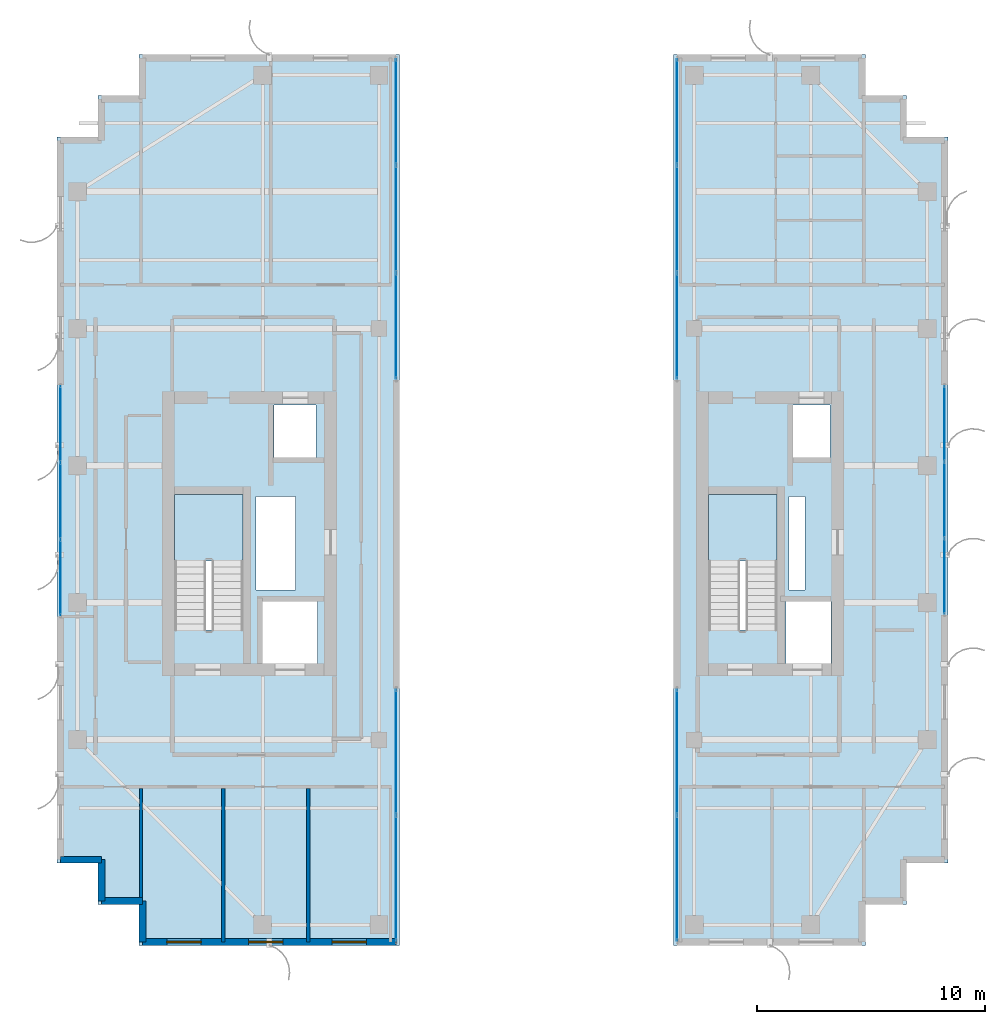
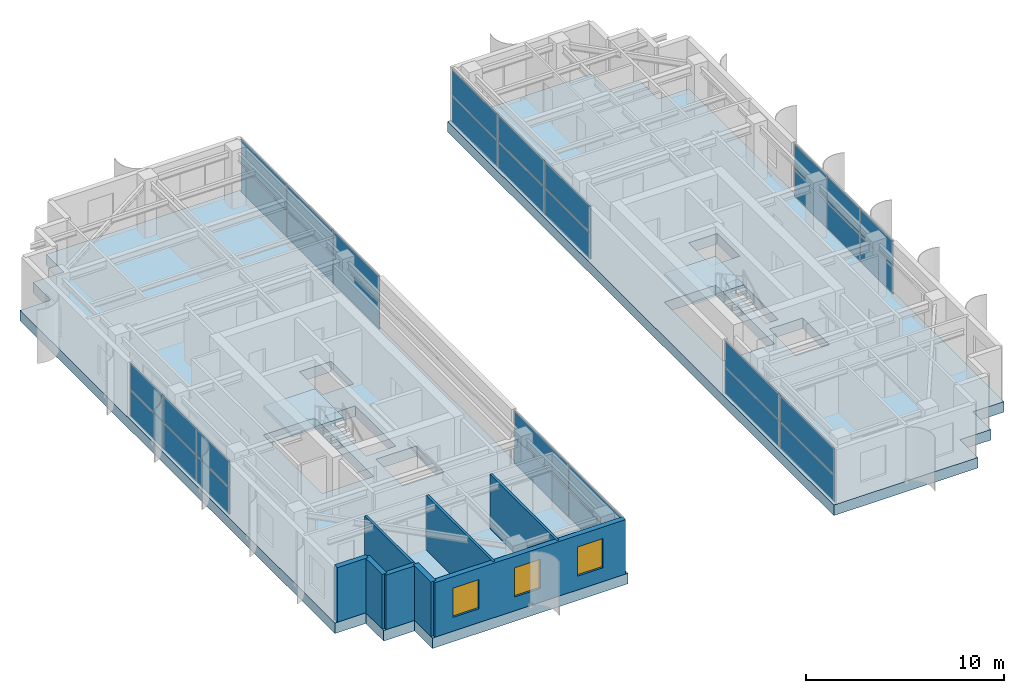
# One storey, part 17 of 24: 32 plates, 8 walls, 4 slabs, 3 windows, 3 openings, 8 elements without a shape of their own.
"""IFC4 building model written with IfcOpenShell, lengths in metres."""

from ifc_helpers import new_model, si_unit, direction, frame, frame_2d, origin, origin_2d, place, context, subcontext, project, spatial, polyline, rectangle, outline, extrude, source, transform, mapped, material, layer, layer_set, type_object, element, fill, aggregate, save


model = new_model("IFC4")

# Units and contexts
model_context = context("Model", 3, precision=1e-05, world=origin(), true_north=direction((0.0, 1.0)))
body_context = subcontext(model_context, "Body", "Model", "MODEL_VIEW")
ifc_project = project(units=[si_unit("LENGTHUNIT", "METRE"), si_unit("AREAUNIT", "SQUARE_METRE"), si_unit("VOLUMEUNIT", "CUBIC_METRE"), si_unit("PLANEANGLEUNIT", "RADIAN"), si_unit("MASSUNIT", "GRAM", prefix="KILO")], contexts=[model_context])

# Site, building, storey
site_placement = place(None, origin())
site = spatial("IfcSite", under=ifc_project, at=site_placement, CompositionType="ELEMENT")
building_placement = place(site_placement, origin())
building = spatial("IfcBuilding", under=site, at=building_placement, Name="Khoralis Quay Care Tower", CompositionType="ELEMENT")
storey_placement = place(building_placement, frame((0.0, 0.0, 227.699951171875)))
storey = spatial("IfcBuildingStorey", under=building, at=storey_placement, Name="L59", CompositionType="ELEMENT", Elevation=227.699951171875)

# Stair, slab
ifc_material_1 = material(Name="Precast concrete C45/55", Category="concrete")
stair_type = type_object("IfcStairType", Name="ST-TWR-DOGLEG-1400", PredefinedType="HALF_TURN_STAIR", material=ifc_material_1)
stair_1_placement = place(storey_placement, origin())
stair_1 = element("IfcStair", 1, at=stair_1_placement, inside=storey, type_object=stair_type, Name="L59 West Core Exit Stair ST-T1", PredefinedType="HALF_TURN_STAIR")
ifc_layer_1 = layer(ifc_material_1, 0.199951171875)
ifc_layer_set_1 = layer_set([ifc_layer_1], Name="Precast concrete C45/55")
slab_type_1 = type_object("IfcSlabType", Name="SLB-LANDING-200", PredefinedType="LANDING", material=ifc_layer_set_1)
slab_1_placement = place(storey_placement, frame((0.0, 0.0, 1.60009765625)))
slab_1 = element("IfcSlab", 2, at=slab_1_placement, type_object=slab_type_1, Name="ST-T1 landing 1", PredefinedType="LANDING", context=body_context, shape_type="SweptSolid", body=[
    extrude(outline(polyline([(11.14990234375, 19.840087890625), (11.14990234375, 22.75), (8.14990234375, 22.75), (8.14990234375, 19.840087890625), (11.14990234375, 19.840087890625)])), origin(), (0.0, 0.0, 1.0), 0.199951171875),
])
aggregate(stair_1, [slab_1])

stair_2_placement = place(storey_placement, origin())
stair_2 = element("IfcStair", 3, at=stair_2_placement, inside=storey, type_object=stair_type, Name="L59 East Core Exit Stair ST-T2", PredefinedType="HALF_TURN_STAIR")
slab_2_placement = place(storey_placement, frame((0.0, 0.0, 1.60009765625)))
slab_2 = element("IfcSlab", 4, at=slab_2_placement, type_object=slab_type_1, Name="ST-T2 landing 1", PredefinedType="LANDING", context=body_context, shape_type="SweptSolid", body=[
    extrude(outline(polyline([(34.52001953125, 19.840087890625), (34.52001953125, 22.75), (31.52001953125, 22.75), (31.52001953125, 19.840087890625), (34.52001953125, 19.840087890625)])), origin(), (0.0, 0.0, 1.0), 0.199951171875),
])
aggregate(stair_2, [slab_2])

# Slabs
ifc_material_2 = material(Name="Concrete C65/80", Category="concrete")
ifc_layer_2 = layer(ifc_material_2, 0.64990234375)
ifc_layer_set_2 = layer_set([ifc_layer_2], Name="Concrete C65/80")
slab_type_2 = type_object("IfcSlabType", Name="SLB-TRANS-650", PredefinedType="FLOOR", material=ifc_layer_set_2)
slab_3_placement = place(storey_placement, frame((0.0, 0.0, -0.64990234375)))
element("IfcSlab", 5, at=slab_3_placement, inside=storey, type_object=slab_type_2, Name="Tower Wing 1 Slab L59", PredefinedType="FLOOR", context=body_context, shape_type="SweptSolid", body=[
    extrude(outline(polyline([(6.60009765625, 3.0), (18.0, 3.0), (18.0, 42.0), (6.60009765625, 42.0), (6.60009765625, 40.199951171875), (4.800048828125, 40.199951171875), (4.800048828125, 38.39990234375), (3.0, 38.39990234375), (3.0, 6.60009765625), (4.800048828125, 6.60009765625), (4.800048828125, 4.800048828125), (6.60009765625, 4.800048828125), (6.60009765625, 3.0)]), holes=[polyline([(11.14990234375, 16.800048828125), (11.14990234375, 22.75), (8.14990234375, 22.75), (8.14990234375, 16.800048828125), (11.14990234375, 16.800048828125)]), polyline([(12.0, 15.35009765625), (14.39990234375, 15.35009765625), (14.39990234375, 18.050048828125), (12.0, 18.050048828125), (12.0, 15.35009765625)]), polyline([(12.5, 24.35009765625), (14.35009765625, 24.35009765625), (14.35009765625, 26.64990234375), (12.5, 26.64990234375), (12.5, 24.35009765625)]), polyline([(11.719970703125, 18.550048828125), (13.449951171875, 18.550048828125), (13.449951171875, 22.64990234375), (11.719970703125, 22.64990234375), (11.719970703125, 18.550048828125)])]), origin(), (0.0, 0.0, 1.0), 0.64990234375),
])
slab_4_placement = place(storey_placement, frame((0.0, 0.0, -0.64990234375)))
element("IfcSlab", 6, at=slab_4_placement, inside=storey, type_object=slab_type_2, Name="Tower Wing 2 Slab L59", PredefinedType="FLOOR", context=body_context, shape_type="SweptSolid", body=[
    extrude(outline(polyline([(30.0, 3.0), (38.39990234375, 3.0), (38.39990234375, 4.800048828125), (40.199951171875, 4.800048828125), (40.199951171875, 6.60009765625), (42.0, 6.60009765625), (42.0, 38.39990234375), (40.199951171875, 38.39990234375), (40.199951171875, 40.199951171875), (38.39990234375, 40.199951171875), (38.39990234375, 42.0), (30.0, 42.0), (30.0, 3.0)]), holes=[polyline([(34.52001953125, 16.800048828125), (34.52001953125, 22.75), (31.52001953125, 22.75), (31.52001953125, 16.800048828125), (34.52001953125, 16.800048828125)]), polyline([(34.919921875, 15.35009765625), (36.8798828125, 15.35009765625), (36.8798828125, 18.050048828125), (34.919921875, 18.050048828125), (34.919921875, 15.35009765625)]), polyline([(35.199951171875, 24.35009765625), (36.85009765625, 24.35009765625), (36.85009765625, 26.64990234375), (35.199951171875, 26.64990234375), (35.199951171875, 24.35009765625)]), polyline([(35.050048828125, 18.550048828125), (35.75, 18.550048828125), (35.75, 22.64990234375), (35.050048828125, 22.64990234375), (35.050048828125, 18.550048828125)])]), origin(), (0.0, 0.0, 1.0), 0.64990234375),
])

# Curtain wall, plates
ifc_material_3 = material(Name="Pale anodised aluminium", Category="aluminium")
ifc_layer_3 = layer(ifc_material_3, 0.18994140625)
ifc_layer_set_3 = layer_set([ifc_layer_3], Name="Pale anodised aluminium")
curtain_wall_type_1 = type_object("IfcCurtainWallType", Name="CW-SYS-PORTAL", PredefinedType="NOTDEFINED", material=ifc_layer_set_3)
curtain_wall_1_placement = place(storey_placement, origin())
curtain_wall_1 = element("IfcCurtainWall", 7, at=curtain_wall_1_placement, inside=storey, type_object=curtain_wall_type_1, Name="L59 Unitised Curtain Wall CW-VP-L59-P1-S", PredefinedType="NOTDEFINED")
ifc_material_4 = material(Name="Low-E solar-control double glazing", Category="glass")
ifc_layer_4 = layer(ifc_material_4, 0.031982421875)
ifc_layer_set_4 = layer_set([ifc_layer_4], Name="Low-E solar-control double glazing")
plate_type = type_object("IfcPlateType", Name="PNL-VIS-32", PredefinedType="CURTAIN_PANEL", material=ifc_layer_set_4)
shared_shape_1 = source(origin(), body_context, "Body", "SweptSolid", [
    extrude(rectangle(XDim=5.4599609375, YDim=0.028076171875, at=origin_2d()), origin(), (0.0, 0.0, 1.0), 1.590087890625),
])
plate_1_placement = place(storey_placement, frame((17.85009765625, 5.93994140625, 0.06005859375), z_axis=(0.0, 0.0, 1.0), x_axis=(0.0, 1.0, 0.0)))
plate_1 = element("IfcPlate", 8, at=plate_1_placement, type_object=plate_type, Name="CW4 panel 1.1", PredefinedType="CURTAIN_PANEL", context=body_context, shape_type="MappedRepresentation", body=[
    mapped(shared_shape_1, transform((0.0, 0.0, 0.0), scale=1.0)),
])
plate_2_placement = place(storey_placement, frame((17.85009765625, 5.93994140625, 1.7099609375), z_axis=(0.0, 0.0, 1.0), x_axis=(0.0, 1.0, 0.0)))
plate_2 = element("IfcPlate", 9, at=plate_2_placement, type_object=plate_type, Name="CW4 panel 1.2", PredefinedType="CURTAIN_PANEL", context=body_context, shape_type="MappedRepresentation", body=[
    mapped(shared_shape_1, transform((0.0, 0.0, 0.0), scale=1.0)),
])
plate_3_placement = place(storey_placement, frame((17.85009765625, 11.4599609375, 0.06005859375), z_axis=(0.0, 0.0, 1.0), x_axis=(0.0, 1.0, 0.0)))
plate_3 = element("IfcPlate", 10, at=plate_3_placement, type_object=plate_type, Name="CW4 panel 2.1", PredefinedType="CURTAIN_PANEL", context=body_context, shape_type="MappedRepresentation", body=[
    mapped(shared_shape_1, transform((0.0, 0.0, 0.0), scale=1.0)),
])
plate_4_placement = place(storey_placement, frame((17.85009765625, 11.4599609375, 1.7099609375), z_axis=(0.0, 0.0, 1.0), x_axis=(0.0, 1.0, 0.0)))
plate_4 = element("IfcPlate", 11, at=plate_4_placement, type_object=plate_type, Name="CW4 panel 2.2", PredefinedType="CURTAIN_PANEL", context=body_context, shape_type="MappedRepresentation", body=[
    mapped(shared_shape_1, transform((0.0, 0.0, 0.0), scale=1.0)),
])
aggregate(curtain_wall_1, [plate_1, plate_2, plate_3, plate_4])

curtain_wall_2_placement = place(storey_placement, origin())
curtain_wall_2 = element("IfcCurtainWall", 12, at=curtain_wall_2_placement, inside=storey, type_object=curtain_wall_type_1, Name="L59 Unitised Curtain Wall CW-VP-L59-P2-S", PredefinedType="NOTDEFINED")
plate_5_placement = place(storey_placement, frame((30.14990234375, 5.93994140625, 0.06005859375), z_axis=(0.0, 0.0, 1.0), x_axis=(0.0, 1.0, 0.0)))
plate_5 = element("IfcPlate", 13, at=plate_5_placement, type_object=plate_type, Name="CW4 panel 1.1", PredefinedType="CURTAIN_PANEL", context=body_context, shape_type="MappedRepresentation", body=[
    mapped(shared_shape_1, transform((0.0, 0.0, 0.0), scale=1.0)),
])
plate_6_placement = place(storey_placement, frame((30.14990234375, 5.93994140625, 1.7099609375), z_axis=(0.0, 0.0, 1.0), x_axis=(0.0, 1.0, 0.0)))
plate_6 = element("IfcPlate", 14, at=plate_6_placement, type_object=plate_type, Name="CW4 panel 1.2", PredefinedType="CURTAIN_PANEL", context=body_context, shape_type="MappedRepresentation", body=[
    mapped(shared_shape_1, transform((0.0, 0.0, 0.0), scale=1.0)),
])
plate_7_placement = place(storey_placement, frame((30.14990234375, 11.4599609375, 0.06005859375), z_axis=(0.0, 0.0, 1.0), x_axis=(0.0, 1.0, 0.0)))
plate_7 = element("IfcPlate", 15, at=plate_7_placement, type_object=plate_type, Name="CW4 panel 2.1", PredefinedType="CURTAIN_PANEL", context=body_context, shape_type="MappedRepresentation", body=[
    mapped(shared_shape_1, transform((0.0, 0.0, 0.0), scale=1.0)),
])
plate_8_placement = place(storey_placement, frame((30.14990234375, 11.4599609375, 1.7099609375), z_axis=(0.0, 0.0, 1.0), x_axis=(0.0, 1.0, 0.0)))
plate_8 = element("IfcPlate", 16, at=plate_8_placement, type_object=plate_type, Name="CW4 panel 2.2", PredefinedType="CURTAIN_PANEL", context=body_context, shape_type="MappedRepresentation", body=[
    mapped(shared_shape_1, transform((0.0, 0.0, 0.0), scale=1.0)),
])
aggregate(curtain_wall_2, [plate_5, plate_6, plate_7, plate_8])

curtain_wall_3_placement = place(storey_placement, origin())
curtain_wall_3 = element("IfcCurtainWall", 17, at=curtain_wall_3_placement, inside=storey, type_object=curtain_wall_type_1, Name="L59 Unitised Curtain Wall CW-VP-L59-P1-N", PredefinedType="NOTDEFINED")
shared_shape_2 = source(origin(), body_context, "Body", "SweptSolid", [
    extrude(rectangle(XDim=4.610107421875, YDim=0.028076171875, at=origin_2d()), origin(), (0.0, 0.0, 1.0), 1.590087890625),
])
plate_9_placement = place(storey_placement, frame((17.85009765625, 30.114990234375, 0.06005859375), z_axis=(0.0, 0.0, 1.0), x_axis=(0.0, 1.0, 0.0)))
plate_9 = element("IfcPlate", 18, at=plate_9_placement, type_object=plate_type, Name="CW4 panel 1.1", PredefinedType="CURTAIN_PANEL", context=body_context, shape_type="MappedRepresentation", body=[
    mapped(shared_shape_2, transform((0.0, 0.0, 0.0), scale=1.0)),
])
plate_10_placement = place(storey_placement, frame((17.85009765625, 30.114990234375, 1.7099609375), z_axis=(0.0, 0.0, 1.0), x_axis=(0.0, 1.0, 0.0)))
plate_10 = element("IfcPlate", 19, at=plate_10_placement, type_object=plate_type, Name="CW4 panel 1.2", PredefinedType="CURTAIN_PANEL", context=body_context, shape_type="MappedRepresentation", body=[
    mapped(shared_shape_2, transform((0.0, 0.0, 0.0), scale=1.0)),
])
plate_11_placement = place(storey_placement, frame((17.85009765625, 39.485107421875, 0.06005859375), z_axis=(0.0, 0.0, 1.0), x_axis=(0.0, 1.0, 0.0)))
plate_11 = element("IfcPlate", 20, at=plate_11_placement, type_object=plate_type, Name="CW4 panel 3.1", PredefinedType="CURTAIN_PANEL", context=body_context, shape_type="MappedRepresentation", body=[
    mapped(shared_shape_2, transform((0.0, 0.0, 0.0), scale=1.0)),
])
plate_12_placement = place(storey_placement, frame((17.85009765625, 39.485107421875, 1.7099609375), z_axis=(0.0, 0.0, 1.0), x_axis=(0.0, 1.0, 0.0)))
plate_12 = element("IfcPlate", 21, at=plate_12_placement, type_object=plate_type, Name="CW4 panel 3.2", PredefinedType="CURTAIN_PANEL", context=body_context, shape_type="MappedRepresentation", body=[
    mapped(shared_shape_2, transform((0.0, 0.0, 0.0), scale=1.0)),
])

curtain_wall_4_placement = place(storey_placement, origin())
curtain_wall_4 = element("IfcCurtainWall", 22, at=curtain_wall_4_placement, inside=storey, type_object=curtain_wall_type_1, Name="L59 Unitised Curtain Wall CW-VP-L59-P2-N", PredefinedType="NOTDEFINED")
plate_13_placement = place(storey_placement, frame((30.14990234375, 30.114990234375, 0.06005859375), z_axis=(0.0, 0.0, 1.0), x_axis=(0.0, 1.0, 0.0)))
plate_13 = element("IfcPlate", 23, at=plate_13_placement, type_object=plate_type, Name="CW4 panel 1.1", PredefinedType="CURTAIN_PANEL", context=body_context, shape_type="MappedRepresentation", body=[
    mapped(shared_shape_2, transform((0.0, 0.0, 0.0), scale=1.0)),
])
plate_14_placement = place(storey_placement, frame((30.14990234375, 30.114990234375, 1.7099609375), z_axis=(0.0, 0.0, 1.0), x_axis=(0.0, 1.0, 0.0)))
plate_14 = element("IfcPlate", 24, at=plate_14_placement, type_object=plate_type, Name="CW4 panel 1.2", PredefinedType="CURTAIN_PANEL", context=body_context, shape_type="MappedRepresentation", body=[
    mapped(shared_shape_2, transform((0.0, 0.0, 0.0), scale=1.0)),
])
plate_15_placement = place(storey_placement, frame((30.14990234375, 39.485107421875, 0.06005859375), z_axis=(0.0, 0.0, 1.0), x_axis=(0.0, 1.0, 0.0)))
plate_15 = element("IfcPlate", 25, at=plate_15_placement, type_object=plate_type, Name="CW4 panel 3.1", PredefinedType="CURTAIN_PANEL", context=body_context, shape_type="MappedRepresentation", body=[
    mapped(shared_shape_2, transform((0.0, 0.0, 0.0), scale=1.0)),
])
plate_16_placement = place(storey_placement, frame((30.14990234375, 39.485107421875, 1.7099609375), z_axis=(0.0, 0.0, 1.0), x_axis=(0.0, 1.0, 0.0)))
plate_16 = element("IfcPlate", 26, at=plate_16_placement, type_object=plate_type, Name="CW4 panel 3.2", PredefinedType="CURTAIN_PANEL", context=body_context, shape_type="MappedRepresentation", body=[
    mapped(shared_shape_2, transform((0.0, 0.0, 0.0), scale=1.0)),
])

# Plate
shared_shape_3 = source(origin(), body_context, "Body", "SweptSolid", [
    extrude(rectangle(XDim=4.639892578125, YDim=0.028076171875, at=origin_2d()), origin(), (0.0, 0.0, 1.0), 1.590087890625),
])
plate_17_placement = place(storey_placement, frame((17.85009765625, 34.800048828125, 0.06005859375), z_axis=(0.0, 0.0, 1.0), x_axis=(0.0, 1.0, 0.0)))
plate_17 = element("IfcPlate", 27, at=plate_17_placement, type_object=plate_type, Name="CW4 panel 2.1", PredefinedType="CURTAIN_PANEL", context=body_context, shape_type="MappedRepresentation", body=[
    mapped(shared_shape_3, transform((0.0, 0.0, 0.0), scale=1.0)),
])

plate_18_placement = place(storey_placement, frame((17.85009765625, 34.800048828125, 1.7099609375), z_axis=(0.0, 0.0, 1.0), x_axis=(0.0, 1.0, 0.0)))
plate_18 = element("IfcPlate", 28, at=plate_18_placement, type_object=plate_type, Name="CW4 panel 2.2", PredefinedType="CURTAIN_PANEL", context=body_context, shape_type="MappedRepresentation", body=[
    mapped(shared_shape_3, transform((0.0, 0.0, 0.0), scale=1.0)),
])

aggregate(curtain_wall_3, [plate_9, plate_10, plate_17, plate_18, plate_11, plate_12])

plate_19_placement = place(storey_placement, frame((30.14990234375, 34.800048828125, 0.06005859375), z_axis=(0.0, 0.0, 1.0), x_axis=(0.0, 1.0, 0.0)))
plate_19 = element("IfcPlate", 29, at=plate_19_placement, type_object=plate_type, Name="CW4 panel 2.1", PredefinedType="CURTAIN_PANEL", context=body_context, shape_type="MappedRepresentation", body=[
    mapped(shared_shape_3, transform((0.0, 0.0, 0.0), scale=1.0)),
])

plate_20_placement = place(storey_placement, frame((30.14990234375, 34.800048828125, 1.7099609375), z_axis=(0.0, 0.0, 1.0), x_axis=(0.0, 1.0, 0.0)))
plate_20 = element("IfcPlate", 30, at=plate_20_placement, type_object=plate_type, Name="CW4 panel 2.2", PredefinedType="CURTAIN_PANEL", context=body_context, shape_type="MappedRepresentation", body=[
    mapped(shared_shape_3, transform((0.0, 0.0, 0.0), scale=1.0)),
])

aggregate(curtain_wall_4, [plate_13, plate_14, plate_19, plate_20, plate_15, plate_16])

# Curtain wall, plates
ifc_layer_5 = layer(ifc_material_3, 0.159912109375)
ifc_layer_set_5 = layer_set([ifc_layer_5], Name="Pale anodised aluminium")
curtain_wall_type_2 = type_object("IfcCurtainWallType", Name="CW-SYS-Z3", PredefinedType="NOTDEFINED", material=ifc_layer_set_5)
curtain_wall_5_placement = place(storey_placement, origin())
curtain_wall_5 = element("IfcCurtainWall", 31, at=curtain_wall_5_placement, inside=storey, type_object=curtain_wall_type_2, Name="L59 Unitised Curtain Wall CW-L59-P1-E7", PredefinedType="NOTDEFINED")
shared_shape_4 = source(origin(), body_context, "Body", "SweptSolid", [
    extrude(rectangle(XDim=3.2900390625, YDim=0.028076171875, at=origin_2d()), origin(), (0.0, 0.0, 1.0), 1.590087890625),
])
plate_21_placement = place(storey_placement, frame((3.14990234375, 25.8349609375, 0.06005859375), z_axis=(0.0, 0.0, 1.0), x_axis=(0.0, -1.0, 0.0)))
plate_21 = element("IfcPlate", 32, at=plate_21_placement, type_object=plate_type, Name="CW3 panel 1.1", PredefinedType="CURTAIN_PANEL", context=body_context, shape_type="MappedRepresentation", body=[
    mapped(shared_shape_4, transform((0.0, 0.0, 0.0), scale=1.0)),
])
plate_22_placement = place(storey_placement, frame((3.14990234375, 25.8349609375, 1.7099609375), z_axis=(0.0, 0.0, 1.0), x_axis=(0.0, -1.0, 0.0)))
plate_22 = element("IfcPlate", 33, at=plate_22_placement, type_object=plate_type, Name="CW3 panel 1.2", PredefinedType="CURTAIN_PANEL", context=body_context, shape_type="MappedRepresentation", body=[
    mapped(shared_shape_4, transform((0.0, 0.0, 0.0), scale=1.0)),
])
plate_23_placement = place(storey_placement, frame((3.14990234375, 19.10498046875, 0.06005859375), z_axis=(0.0, 0.0, 1.0), x_axis=(0.0, -1.0, 0.0)))
plate_23 = element("IfcPlate", 34, at=plate_23_placement, type_object=plate_type, Name="CW3 panel 3.1", PredefinedType="CURTAIN_PANEL", context=body_context, shape_type="MappedRepresentation", body=[
    mapped(shared_shape_4, transform((0.0, 0.0, 0.0), scale=1.0)),
])
plate_24_placement = place(storey_placement, frame((3.14990234375, 19.10498046875, 1.7099609375), z_axis=(0.0, 0.0, 1.0), x_axis=(0.0, -1.0, 0.0)))
plate_24 = element("IfcPlate", 35, at=plate_24_placement, type_object=plate_type, Name="CW3 panel 3.2", PredefinedType="CURTAIN_PANEL", context=body_context, shape_type="MappedRepresentation", body=[
    mapped(shared_shape_4, transform((0.0, 0.0, 0.0), scale=1.0)),
])
shared_shape_5 = source(origin(), body_context, "Body", "SweptSolid", [
    extrude(rectangle(XDim=3.320068359375, YDim=0.028076171875, at=origin_2d()), origin(), (0.0, 0.0, 1.0), 1.590087890625),
])
plate_25_placement = place(storey_placement, frame((3.14990234375, 22.469970703125, 0.06005859375), z_axis=(0.0, 0.0, 1.0), x_axis=(0.0, -1.0, 0.0)))
plate_25 = element("IfcPlate", 36, at=plate_25_placement, type_object=plate_type, Name="CW3 panel 2.1", PredefinedType="CURTAIN_PANEL", context=body_context, shape_type="MappedRepresentation", body=[
    mapped(shared_shape_5, transform((0.0, 0.0, 0.0), scale=1.0)),
])
plate_26_placement = place(storey_placement, frame((3.14990234375, 22.469970703125, 1.7099609375), z_axis=(0.0, 0.0, 1.0), x_axis=(0.0, -1.0, 0.0)))
plate_26 = element("IfcPlate", 37, at=plate_26_placement, type_object=plate_type, Name="CW3 panel 2.2", PredefinedType="CURTAIN_PANEL", context=body_context, shape_type="MappedRepresentation", body=[
    mapped(shared_shape_5, transform((0.0, 0.0, 0.0), scale=1.0)),
])
aggregate(curtain_wall_5, [plate_21, plate_22, plate_25, plate_26, plate_23, plate_24])

curtain_wall_6_placement = place(storey_placement, origin())
curtain_wall_6 = element("IfcCurtainWall", 38, at=curtain_wall_6_placement, inside=storey, type_object=curtain_wall_type_2, Name="L59 Unitised Curtain Wall CW-L59-P2-E5", PredefinedType="NOTDEFINED")
shared_shape_6 = source(origin(), body_context, "Body", "SweptSolid", [
    extrude(rectangle(XDim=3.27001953125, YDim=0.028076171875, at=origin_2d()), origin(), (0.0, 0.0, 1.0), 1.590087890625),
])
plate_27_placement = place(storey_placement, frame((41.85009765625, 19.155029296875, 0.06005859375), z_axis=(0.0, 0.0, 1.0), x_axis=(0.0, 1.0, 0.0)))
plate_27 = element("IfcPlate", 39, at=plate_27_placement, type_object=plate_type, Name="CW3 panel 1.1", PredefinedType="CURTAIN_PANEL", context=body_context, shape_type="MappedRepresentation", body=[
    mapped(shared_shape_6, transform((0.0, 0.0, 0.0), scale=1.0)),
])
plate_28_placement = place(storey_placement, frame((41.85009765625, 19.155029296875, 1.7099609375), z_axis=(0.0, 0.0, 1.0), x_axis=(0.0, 1.0, 0.0)))
plate_28 = element("IfcPlate", 40, at=plate_28_placement, type_object=plate_type, Name="CW3 panel 1.2", PredefinedType="CURTAIN_PANEL", context=body_context, shape_type="MappedRepresentation", body=[
    mapped(shared_shape_6, transform((0.0, 0.0, 0.0), scale=1.0)),
])
plate_29_placement = place(storey_placement, frame((41.85009765625, 25.844970703125, 0.06005859375), z_axis=(0.0, 0.0, 1.0), x_axis=(0.0, 1.0, 0.0)))
plate_29 = element("IfcPlate", 41, at=plate_29_placement, type_object=plate_type, Name="CW3 panel 3.1", PredefinedType="CURTAIN_PANEL", context=body_context, shape_type="MappedRepresentation", body=[
    mapped(shared_shape_6, transform((0.0, 0.0, 0.0), scale=1.0)),
])
plate_30_placement = place(storey_placement, frame((41.85009765625, 25.844970703125, 1.7099609375), z_axis=(0.0, 0.0, 1.0), x_axis=(0.0, 1.0, 0.0)))
plate_30 = element("IfcPlate", 42, at=plate_30_placement, type_object=plate_type, Name="CW3 panel 3.2", PredefinedType="CURTAIN_PANEL", context=body_context, shape_type="MappedRepresentation", body=[
    mapped(shared_shape_6, transform((0.0, 0.0, 0.0), scale=1.0)),
])
shared_shape_7 = source(origin(), body_context, "Body", "SweptSolid", [
    extrude(rectangle(XDim=3.300048828125, YDim=0.028076171875, at=origin_2d()), origin(), (0.0, 0.0, 1.0), 1.590087890625),
])
plate_31_placement = place(storey_placement, frame((41.85009765625, 22.5, 0.06005859375), z_axis=(0.0, 0.0, 1.0), x_axis=(0.0, 1.0, 0.0)))
plate_31 = element("IfcPlate", 43, at=plate_31_placement, type_object=plate_type, Name="CW3 panel 2.1", PredefinedType="CURTAIN_PANEL", context=body_context, shape_type="MappedRepresentation", body=[
    mapped(shared_shape_7, transform((0.0, 0.0, 0.0), scale=1.0)),
])
plate_32_placement = place(storey_placement, frame((41.85009765625, 22.5, 1.7099609375), z_axis=(0.0, 0.0, 1.0), x_axis=(0.0, 1.0, 0.0)))
plate_32 = element("IfcPlate", 44, at=plate_32_placement, type_object=plate_type, Name="CW3 panel 2.2", PredefinedType="CURTAIN_PANEL", context=body_context, shape_type="MappedRepresentation", body=[
    mapped(shared_shape_7, transform((0.0, 0.0, 0.0), scale=1.0)),
])
aggregate(curtain_wall_6, [plate_27, plate_28, plate_31, plate_32, plate_29, plate_30])

# Wall, openings, windows
ifc_layer_6 = layer(ifc_material_1, 0.300048828125)
ifc_layer_set_6 = layer_set([ifc_layer_6], Name="Precast concrete C45/55")
wall_type_1 = type_object("IfcWallType", Name="WL-EXT-REF-300", PredefinedType="SOLIDWALL", material=ifc_layer_set_6)
wall_1_placement = place(storey_placement, frame((6.75, 3.14990234375, 0.0), z_axis=(0.0, 0.0, 1.0), x_axis=(1.0, 0.0, 0.0)))
wall_1 = element("IfcWall", 45, at=wall_1_placement, inside=storey, type_object=wall_type_1, Name="L59 External Facade Wall WL-EXT-L59-P1-E0", PredefinedType="SOLIDWALL", context=body_context, shape_type="SweptSolid", body=[
    extrude(rectangle(XDim=11.10009765625, YDim=0.300048828125, at=frame_2d((5.550048828125, 0.0))), origin(), (0.0, 0.0, 1.0), 3.360107421875),
])
opening_1_placement = place(wall_1_placement, frame((1.06494140625, 0.0, 0.85009765625)))
opening_1 = element("IfcOpeningElement", 46, at=opening_1_placement, cuts=wall_1, Name="Opening W3", PredefinedType="OPENING", context=body_context, shape_type="SweptSolid", body=[
    extrude(rectangle(XDim=1.5, YDim=1.800048828125, at=frame_2d((0.75, 0.89990234375))), frame((0.0, 0.16015625, 0.0), z_axis=(0.0, -1.0, 0.0), x_axis=(1.0, 0.0, 0.0)), (0.0, 0.0, 1.0), 0.320068359375),
])
opening_2_placement = place(wall_1_placement, frame((4.639892578125, 0.0, 0.85009765625)))
opening_2 = element("IfcOpeningElement", 47, at=opening_2_placement, cuts=wall_1, Name="Opening W3", PredefinedType="OPENING", context=body_context, shape_type="SweptSolid", body=[
    extrude(rectangle(XDim=1.5, YDim=1.800048828125, at=frame_2d((0.75, 0.89990234375))), frame((0.0, 0.16015625, 0.0), z_axis=(0.0, -1.0, 0.0), x_axis=(1.0, 0.0, 0.0)), (0.0, 0.0, 1.0), 0.320068359375),
])
opening_3_placement = place(wall_1_placement, frame((8.300048828125, 0.0, 0.85009765625)))
opening_3 = element("IfcOpeningElement", 48, at=opening_3_placement, cuts=wall_1, Name="Opening W3", PredefinedType="OPENING", context=body_context, shape_type="SweptSolid", body=[
    extrude(rectangle(XDim=1.5, YDim=1.800048828125, at=frame_2d((0.75, 0.89990234375))), frame((0.0, 0.16015625, 0.0), z_axis=(0.0, -1.0, 0.0), x_axis=(1.0, 0.0, 0.0)), (0.0, 0.0, 1.0), 0.320068359375),
])
window_type = type_object("IfcWindowType", Name="WN-CLIN-1500X1800", PartitioningType="SINGLE_PANEL", PredefinedType="WINDOW", material=ifc_material_4)
shared_shape_8 = source(origin(), body_context, "Body", "SweptSolid", [
    extrude(rectangle(XDim=1.5, YDim=1.800048828125, at=frame_2d((0.75, 0.89990234375))), frame((0.0, 0.030029296875, 0.0), z_axis=(0.0, -1.0, 0.0), x_axis=(1.0, 0.0, 0.0)), (0.0, 0.0, 1.0), 0.06005859375),
])
window_1_placement = place(opening_1_placement, origin())
window_1 = element("IfcWindow", 49, at=window_1_placement, inside=storey, type_object=window_type, Name="WN-L59-P1-E0 Facade Window 01", OverallHeight=1.800048828125, OverallWidth=1.5, PartitioningType="SINGLE_PANEL", PredefinedType="WINDOW", context=body_context, shape_type="MappedRepresentation", body=[
    mapped(shared_shape_8, transform((0.0, 0.0, 0.0), scale=1.0)),
])
fill(opening_1, window_1)
window_2_placement = place(opening_2_placement, origin())
window_2 = element("IfcWindow", 50, at=window_2_placement, inside=storey, type_object=window_type, Name="WN-L59-P1-E0 Facade Window 02", OverallHeight=1.800048828125, OverallWidth=1.5, PartitioningType="SINGLE_PANEL", PredefinedType="WINDOW", context=body_context, shape_type="MappedRepresentation", body=[
    mapped(shared_shape_8, transform((0.0, 0.0, 0.0), scale=1.0)),
])
fill(opening_2, window_2)
window_3_placement = place(opening_3_placement, origin())
window_3 = element("IfcWindow", 51, at=window_3_placement, inside=storey, type_object=window_type, Name="WN-L59-P1-E0 Facade Window 03", OverallHeight=1.800048828125, OverallWidth=1.5, PartitioningType="SINGLE_PANEL", PredefinedType="WINDOW", context=body_context, shape_type="MappedRepresentation", body=[
    mapped(shared_shape_8, transform((0.0, 0.0, 0.0), scale=1.0)),
])
fill(opening_3, window_3)

# Walls
for number, where, z_axis, x_axis, name in (
    (52, (3.14990234375, 6.75, 0.0), (0.0, 0.0, 1.0), (1.0, 0.0, 0.0), "L59 External Facade Wall WL-EXT-L59-P1-C8"),
    (53, (4.949951171875, 6.75, 0.0), (0.0, 0.0, 1.0), (0.0, -1.0, 0.0), "L59 External Facade Wall WL-EXT-L59-P1-C9"),
    (54, (4.949951171875, 4.949951171875, 0.0), (0.0, 0.0, 1.0), (1.0, 0.0, 0.0), "L59 External Facade Wall WL-EXT-L59-P1-C10"),
    (55, (6.75, 4.949951171875, 0.0), (0.0, 0.0, 1.0), (0.0, -1.0, 0.0), "L59 External Facade Wall WL-EXT-L59-P1-C11"),
):
    element("IfcWall", number, at=place(storey_placement, frame(where, z_axis=z_axis, x_axis=x_axis)), inside=storey, type_object=wall_type_1, Name=name, PredefinedType="SOLIDWALL", context=body_context, shape_type="SweptSolid", body=[
        extrude(rectangle(XDim=1.800048828125, YDim=0.300048828125, at=frame_2d((0.89990234375, 0.0))), origin(), (0.0, 0.0, 1.0), 3.360107421875),
    ])
ifc_material_5 = material(Name="Gypsum plasterboard on acoustic metal stud")
ifc_layer_7 = layer(ifc_material_5, 0.139892578125)
ifc_layer_set_7 = layer_set([ifc_layer_7], Name="Gypsum plasterboard on acoustic metal stud")
wall_type_2 = type_object("IfcWallType", Name="WL-UNIT-140", PredefinedType="PARTITIONING", material=ifc_layer_set_7)
wall_2_placement = place(storey_placement, frame((6.679931640625, 4.945068359375, 0.0), z_axis=(0.0, 0.0, 1.0), x_axis=(0.0, 1.0, 0.0)))
element("IfcWall", 56, at=wall_2_placement, inside=storey, type_object=wall_type_2, Name="L59 WS Demising Wall 0", PredefinedType="PARTITIONING", context=body_context, shape_type="SweptSolid", body=[
    extrude(rectangle(XDim=4.927490234375, YDim=0.139892578125, at=frame_2d((2.4638671875, 0.0))), origin(), (0.0, 0.0, 1.0), 3.360107421875),
])
for number, where, z_axis, x_axis, name in (
    (57, (10.280029296875, 3.14501953125, 0.0), (0.0, 0.0, 1.0), (0.0, 1.0, 0.0), "L59 WS Demising Wall 1"),
    (58, (14.0, 3.14501953125, 0.0), (0.0, 0.0, 1.0), (0.0, 1.0, 0.0), "L59 WS Demising Wall 2"),
):
    element("IfcWall", number, at=place(storey_placement, frame(where, z_axis=z_axis, x_axis=x_axis)), inside=storey, type_object=wall_type_2, Name=name, PredefinedType="PARTITIONING", context=body_context, shape_type="SweptSolid", body=[
        extrude(rectangle(XDim=6.7275390625, YDim=0.139892578125, at=frame_2d((3.36376953125, 0.0))), origin(), (0.0, 0.0, 1.0), 3.360107421875),
    ])

save(model, "model.ifc")
